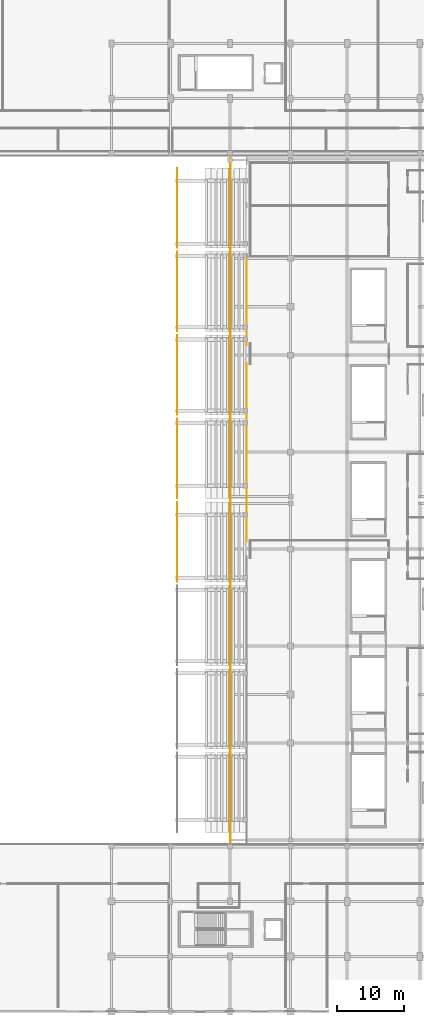
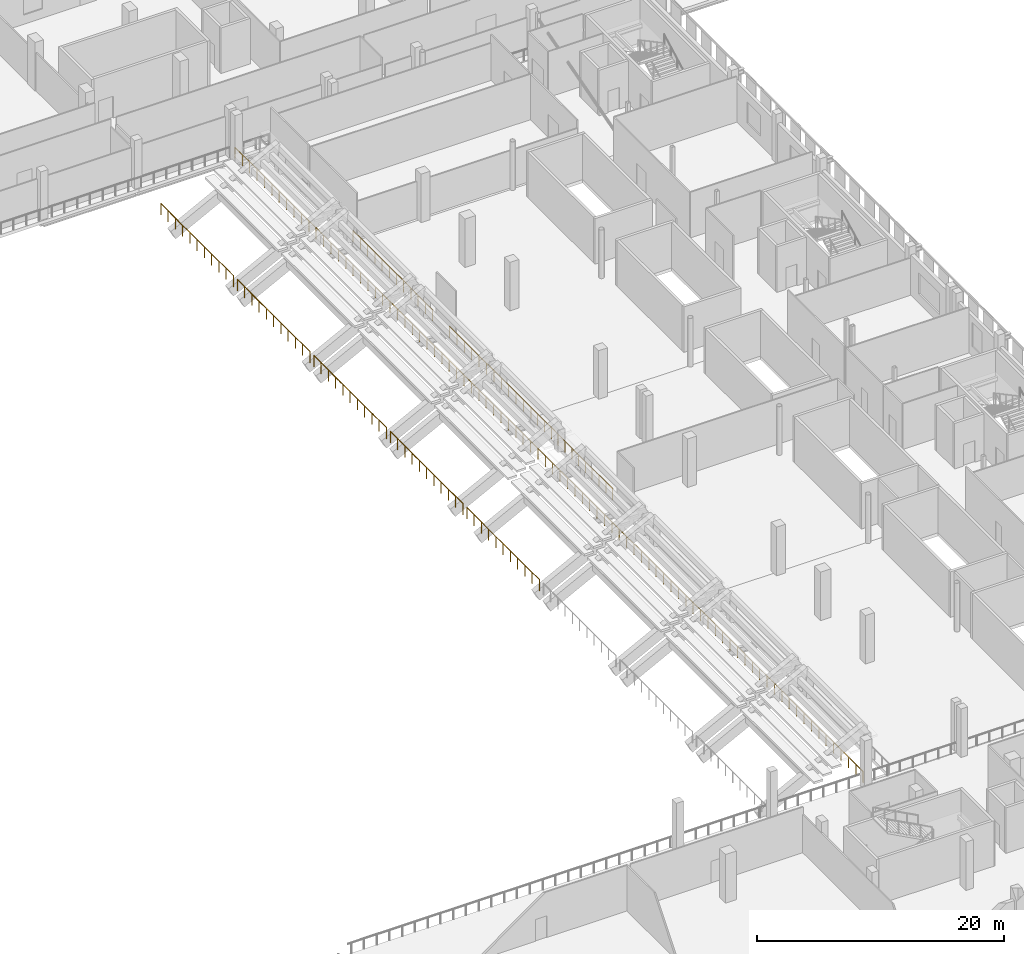
# One storey, part 68 of 74: 9 railings.
"""IFC4 building model written with IfcOpenShell, lengths in metres."""

from ifc_helpers import new_model, si_unit, direction, frame, origin, origin_2d, place, context, subcontext, project, spatial, circle, extrude, material, type_object, element, save


model = new_model("IFC4")

# Units and contexts
model_context = context("Model", 3, precision=1e-05, world=origin(), true_north=direction((0.0, 1.0)))
body_context = subcontext(model_context, "Body", "Model", "MODEL_VIEW")
ifc_project = project(units=[si_unit("LENGTHUNIT", "METRE"), si_unit("AREAUNIT", "SQUARE_METRE"), si_unit("VOLUMEUNIT", "CUBIC_METRE"), si_unit("PLANEANGLEUNIT", "RADIAN"), si_unit("MASSUNIT", "GRAM", prefix="KILO")], contexts=[model_context])

# Site, building, storey
site_placement = place(None, origin())
site = spatial("IfcSite", under=ifc_project, at=site_placement, CompositionType="ELEMENT")
building_placement = place(site_placement, origin())
building = spatial("IfcBuilding", under=site, at=building_placement, Name="Koshinbarg Plaza Stadium", CompositionType="ELEMENT")
storey_placement = place(building_placement, frame((0.0, 0.0, 15.0)))
storey = spatial("IfcBuildingStorey", under=building, at=storey_placement, Name="L03", CompositionType="ELEMENT", Elevation=15.0)

# Railings
ifc_material = material(Name="Toughened laminated glass and stainless steel sightline balustrade", Category="steel")
railing_type = type_object("IfcRailingType", Name="RL-BOWL-1100", PredefinedType="BALUSTRADE", material=ifc_material)
railing_1_placement = place(storey_placement, frame((180.47998046875, 25.10009765625, 0.0)))
element("IfcRailing", 1, at=railing_1_placement, inside=storey, type_object=railing_type, Name="L03 bowl concourse sightline balustrade 0023", PredefinedType="BALUSTRADE", context=body_context, shape_type="SweptSolid", body=[
    extrude(circle(Radius=0.02392578125, at=origin_2d()), frame((0.0, 0.0, 1.076171875), z_axis=(0.0, 1.0, 0.0), x_axis=(-1.0, 0.0, 0.0)), (0.0, 0.0, 1.0), 101.7998046875),
    extrude(circle(Radius=0.02099609375, at=origin_2d()), origin(), (0.0, 0.0, 1.0), 1.052001953125),
    extrude(circle(Radius=0.02099609375, at=origin_2d()), frame((0.0, 1.19775390625, 0.0)), (0.0, 0.0, 1.0), 1.052001953125),
    extrude(circle(Radius=0.02099609375, at=origin_2d()), frame((0.0, 2.395263671875, 0.0)), (0.0, 0.0, 1.0), 1.052001953125),
    extrude(circle(Radius=0.02099609375, at=origin_2d()), frame((0.0, 3.593017578125, 0.0)), (0.0, 0.0, 1.0), 1.052001953125),
    extrude(circle(Radius=0.02099609375, at=origin_2d()), frame((0.0, 4.79052734375, 0.0)), (0.0, 0.0, 1.0), 1.052001953125),
    extrude(circle(Radius=0.02099609375, at=origin_2d()), frame((0.0, 5.98828125, 0.0)), (0.0, 0.0, 1.0), 1.052001953125),
    extrude(circle(Radius=0.02099609375, at=origin_2d()), frame((0.0, 7.185791015625, 0.0)), (0.0, 0.0, 1.0), 1.052001953125),
    extrude(circle(Radius=0.02099609375, at=origin_2d()), frame((0.0, 8.383544921875, 0.0)), (0.0, 0.0, 1.0), 1.052001953125),
    extrude(circle(Radius=0.02099609375, at=origin_2d()), frame((0.0, 9.5810546875, 0.0)), (0.0, 0.0, 1.0), 1.052001953125),
    extrude(circle(Radius=0.02099609375, at=origin_2d()), frame((0.0, 10.77880859375, 0.0)), (0.0, 0.0, 1.0), 1.052001953125),
    extrude(circle(Radius=0.02099609375, at=origin_2d()), frame((0.0, 11.9765625, 0.0)), (0.0, 0.0, 1.0), 1.052001953125),
    extrude(circle(Radius=0.02099609375, at=origin_2d()), frame((0.0, 13.174072265625, 0.0)), (0.0, 0.0, 1.0), 1.052001953125),
    extrude(circle(Radius=0.02099609375, at=origin_2d()), frame((0.0, 14.371826171875, 0.0)), (0.0, 0.0, 1.0), 1.052001953125),
    extrude(circle(Radius=0.02099609375, at=origin_2d()), frame((0.0, 15.5693359375, 0.0)), (0.0, 0.0, 1.0), 1.052001953125),
    extrude(circle(Radius=0.02099609375, at=origin_2d()), frame((0.0, 16.76708984375, 0.0)), (0.0, 0.0, 1.0), 1.052001953125),
    extrude(circle(Radius=0.02099609375, at=origin_2d()), frame((0.0, 17.964599609375, 0.0)), (0.0, 0.0, 1.0), 1.052001953125),
    extrude(circle(Radius=0.02099609375, at=origin_2d()), frame((0.0, 19.162353515625, 0.0)), (0.0, 0.0, 1.0), 1.052001953125),
    extrude(circle(Radius=0.02099609375, at=origin_2d()), frame((0.0, 20.35986328125, 0.0)), (0.0, 0.0, 1.0), 1.052001953125),
    extrude(circle(Radius=0.02099609375, at=origin_2d()), frame((0.0, 21.5576171875, 0.0)), (0.0, 0.0, 1.0), 1.052001953125),
    extrude(circle(Radius=0.02099609375, at=origin_2d()), frame((0.0, 22.75537109375, 0.0)), (0.0, 0.0, 1.0), 1.052001953125),
    extrude(circle(Radius=0.02099609375, at=origin_2d()), frame((0.0, 23.952880859375, 0.0)), (0.0, 0.0, 1.0), 1.052001953125),
    extrude(circle(Radius=0.02099609375, at=origin_2d()), frame((0.0, 25.150634765625, 0.0)), (0.0, 0.0, 1.0), 1.052001953125),
    extrude(circle(Radius=0.02099609375, at=origin_2d()), frame((0.0, 26.34814453125, 0.0)), (0.0, 0.0, 1.0), 1.052001953125),
    extrude(circle(Radius=0.02099609375, at=origin_2d()), frame((0.0, 27.5458984375, 0.0)), (0.0, 0.0, 1.0), 1.052001953125),
    extrude(circle(Radius=0.02099609375, at=origin_2d()), frame((0.0, 28.743408203125, 0.0)), (0.0, 0.0, 1.0), 1.052001953125),
    extrude(circle(Radius=0.02099609375, at=origin_2d()), frame((0.0, 29.941162109375, 0.0)), (0.0, 0.0, 1.0), 1.052001953125),
    extrude(circle(Radius=0.02099609375, at=origin_2d()), frame((0.0, 31.138671875, 0.0)), (0.0, 0.0, 1.0), 1.052001953125),
    extrude(circle(Radius=0.02099609375, at=origin_2d()), frame((0.0, 32.33642578125, 0.0)), (0.0, 0.0, 1.0), 1.052001953125),
    extrude(circle(Radius=0.02099609375, at=origin_2d()), frame((0.0, 33.533935546875, 0.0)), (0.0, 0.0, 1.0), 1.052001953125),
    extrude(circle(Radius=0.02099609375, at=origin_2d()), frame((0.0, 34.731689453125, 0.0)), (0.0, 0.0, 1.0), 1.052001953125),
    extrude(circle(Radius=0.02099609375, at=origin_2d()), frame((0.0, 35.929443359375, 0.0)), (0.0, 0.0, 1.0), 1.052001953125),
    extrude(circle(Radius=0.02099609375, at=origin_2d()), frame((0.0, 37.126953125, 0.0)), (0.0, 0.0, 1.0), 1.052001953125),
    extrude(circle(Radius=0.02099609375, at=origin_2d()), frame((0.0, 38.32470703125, 0.0)), (0.0, 0.0, 1.0), 1.052001953125),
    extrude(circle(Radius=0.02099609375, at=origin_2d()), frame((0.0, 39.522216796875, 0.0)), (0.0, 0.0, 1.0), 1.052001953125),
    extrude(circle(Radius=0.02099609375, at=origin_2d()), frame((0.0, 40.719970703125, 0.0)), (0.0, 0.0, 1.0), 1.052001953125),
    extrude(circle(Radius=0.02099609375, at=origin_2d()), frame((0.0, 41.91748046875, 0.0)), (0.0, 0.0, 1.0), 1.052001953125),
    extrude(circle(Radius=0.02099609375, at=origin_2d()), frame((0.0, 43.115234375, 0.0)), (0.0, 0.0, 1.0), 1.052001953125),
    extrude(circle(Radius=0.02099609375, at=origin_2d()), frame((0.0, 44.312744140625, 0.0)), (0.0, 0.0, 1.0), 1.052001953125),
    extrude(circle(Radius=0.02099609375, at=origin_2d()), frame((0.0, 45.510498046875, 0.0)), (0.0, 0.0, 1.0), 1.052001953125),
    extrude(circle(Radius=0.02099609375, at=origin_2d()), frame((0.0, 46.708251953125, 0.0)), (0.0, 0.0, 1.0), 1.052001953125),
    extrude(circle(Radius=0.02099609375, at=origin_2d()), frame((0.0, 47.90576171875, 0.0)), (0.0, 0.0, 1.0), 1.052001953125),
    extrude(circle(Radius=0.02099609375, at=origin_2d()), frame((0.0, 49.103515625, 0.0)), (0.0, 0.0, 1.0), 1.052001953125),
    extrude(circle(Radius=0.02099609375, at=origin_2d()), frame((0.0, 50.301025390625, 0.0)), (0.0, 0.0, 1.0), 1.052001953125),
    extrude(circle(Radius=0.02099609375, at=origin_2d()), frame((0.0, 51.498779296875, 0.0)), (0.0, 0.0, 1.0), 1.052001953125),
    extrude(circle(Radius=0.02099609375, at=origin_2d()), frame((0.0, 52.6962890625, 0.0)), (0.0, 0.0, 1.0), 1.052001953125),
    extrude(circle(Radius=0.02099609375, at=origin_2d()), frame((0.0, 53.89404296875, 0.0)), (0.0, 0.0, 1.0), 1.052001953125),
    extrude(circle(Radius=0.02099609375, at=origin_2d()), frame((0.0, 55.091552734375, 0.0)), (0.0, 0.0, 1.0), 1.052001953125),
    extrude(circle(Radius=0.02099609375, at=origin_2d()), frame((0.0, 56.289306640625, 0.0)), (0.0, 0.0, 1.0), 1.052001953125),
    extrude(circle(Radius=0.02099609375, at=origin_2d()), frame((0.0, 57.487060546875, 0.0)), (0.0, 0.0, 1.0), 1.052001953125),
    extrude(circle(Radius=0.02099609375, at=origin_2d()), frame((0.0, 58.6845703125, 0.0)), (0.0, 0.0, 1.0), 1.052001953125),
    extrude(circle(Radius=0.02099609375, at=origin_2d()), frame((0.0, 59.88232421875, 0.0)), (0.0, 0.0, 1.0), 1.052001953125),
    extrude(circle(Radius=0.02099609375, at=origin_2d()), frame((0.0, 61.079833984375, 0.0)), (0.0, 0.0, 1.0), 1.052001953125),
    extrude(circle(Radius=0.02099609375, at=origin_2d()), frame((0.0, 62.277587890625, 0.0)), (0.0, 0.0, 1.0), 1.052001953125),
    extrude(circle(Radius=0.02099609375, at=origin_2d()), frame((0.0, 63.47509765625, 0.0)), (0.0, 0.0, 1.0), 1.052001953125),
    extrude(circle(Radius=0.02099609375, at=origin_2d()), frame((0.0, 64.6728515625, 0.0)), (0.0, 0.0, 1.0), 1.052001953125),
    extrude(circle(Radius=0.02099609375, at=origin_2d()), frame((0.0, 65.870361328125, 0.0)), (0.0, 0.0, 1.0), 1.052001953125),
    extrude(circle(Radius=0.02099609375, at=origin_2d()), frame((0.0, 67.068115234375, 0.0)), (0.0, 0.0, 1.0), 1.052001953125),
    extrude(circle(Radius=0.02099609375, at=origin_2d()), frame((0.0, 68.265869140625, 0.0)), (0.0, 0.0, 1.0), 1.052001953125),
    extrude(circle(Radius=0.02099609375, at=origin_2d()), frame((0.0, 69.46337890625, 0.0)), (0.0, 0.0, 1.0), 1.052001953125),
    extrude(circle(Radius=0.02099609375, at=origin_2d()), frame((0.0, 70.6611328125, 0.0)), (0.0, 0.0, 1.0), 1.052001953125),
    extrude(circle(Radius=0.02099609375, at=origin_2d()), frame((0.0, 71.858642578125, 0.0)), (0.0, 0.0, 1.0), 1.052001953125),
    extrude(circle(Radius=0.02099609375, at=origin_2d()), frame((0.0, 73.056396484375, 0.0)), (0.0, 0.0, 1.0), 1.052001953125),
    extrude(circle(Radius=0.02099609375, at=origin_2d()), frame((0.0, 74.25390625, 0.0)), (0.0, 0.0, 1.0), 1.052001953125),
    extrude(circle(Radius=0.02099609375, at=origin_2d()), frame((0.0, 75.45166015625, 0.0)), (0.0, 0.0, 1.0), 1.052001953125),
    extrude(circle(Radius=0.02099609375, at=origin_2d()), frame((0.0, 76.649169921875, 0.0)), (0.0, 0.0, 1.0), 1.052001953125),
    extrude(circle(Radius=0.02099609375, at=origin_2d()), frame((0.0, 77.846923828125, 0.0)), (0.0, 0.0, 1.0), 1.052001953125),
    extrude(circle(Radius=0.02099609375, at=origin_2d()), frame((0.0, 79.04443359375, 0.0)), (0.0, 0.0, 1.0), 1.052001953125),
    extrude(circle(Radius=0.02099609375, at=origin_2d()), frame((0.0, 80.2421875, 0.0)), (0.0, 0.0, 1.0), 1.052001953125),
    extrude(circle(Radius=0.02099609375, at=origin_2d()), frame((0.0, 81.43994140625, 0.0)), (0.0, 0.0, 1.0), 1.052001953125),
    extrude(circle(Radius=0.02099609375, at=origin_2d()), frame((0.0, 82.637451171875, 0.0)), (0.0, 0.0, 1.0), 1.052001953125),
    extrude(circle(Radius=0.02099609375, at=origin_2d()), frame((0.0, 83.835205078125, 0.0)), (0.0, 0.0, 1.0), 1.052001953125),
    extrude(circle(Radius=0.02099609375, at=origin_2d()), frame((0.0, 85.03271484375, 0.0)), (0.0, 0.0, 1.0), 1.052001953125),
    extrude(circle(Radius=0.02099609375, at=origin_2d()), frame((0.0, 86.23046875, 0.0)), (0.0, 0.0, 1.0), 1.052001953125),
    extrude(circle(Radius=0.02099609375, at=origin_2d()), frame((0.0, 87.427978515625, 0.0)), (0.0, 0.0, 1.0), 1.052001953125),
    extrude(circle(Radius=0.02099609375, at=origin_2d()), frame((0.0, 88.625732421875, 0.0)), (0.0, 0.0, 1.0), 1.052001953125),
    extrude(circle(Radius=0.02099609375, at=origin_2d()), frame((0.0, 89.8232421875, 0.0)), (0.0, 0.0, 1.0), 1.052001953125),
    extrude(circle(Radius=0.02099609375, at=origin_2d()), frame((0.0, 91.02099609375, 0.0)), (0.0, 0.0, 1.0), 1.052001953125),
    extrude(circle(Radius=0.02099609375, at=origin_2d()), frame((0.0, 92.21875, 0.0)), (0.0, 0.0, 1.0), 1.052001953125),
    extrude(circle(Radius=0.02099609375, at=origin_2d()), frame((0.0, 93.416259765625, 0.0)), (0.0, 0.0, 1.0), 1.052001953125),
    extrude(circle(Radius=0.02099609375, at=origin_2d()), frame((0.0, 94.614013671875, 0.0)), (0.0, 0.0, 1.0), 1.052001953125),
    extrude(circle(Radius=0.02099609375, at=origin_2d()), frame((0.0, 95.8115234375, 0.0)), (0.0, 0.0, 1.0), 1.052001953125),
    extrude(circle(Radius=0.02099609375, at=origin_2d()), frame((0.0, 97.00927734375, 0.0)), (0.0, 0.0, 1.0), 1.052001953125),
    extrude(circle(Radius=0.02099609375, at=origin_2d()), frame((0.0, 98.206787109375, 0.0)), (0.0, 0.0, 1.0), 1.052001953125),
    extrude(circle(Radius=0.02099609375, at=origin_2d()), frame((0.0, 99.404541015625, 0.0)), (0.0, 0.0, 1.0), 1.052001953125),
    extrude(circle(Radius=0.02099609375, at=origin_2d()), frame((0.0, 100.60205078125, 0.0)), (0.0, 0.0, 1.0), 1.052001953125),
    extrude(circle(Radius=0.02099609375, at=origin_2d()), frame((0.0, 101.7998046875, 0.0)), (0.0, 0.0, 1.0), 1.052001953125),
])
railing_2_placement = place(storey_placement, frame((172.580078125, 63.8798828125, -1.780029296875)))
element("IfcRailing", 2, at=railing_2_placement, inside=storey, type_object=railing_type, Name="UT-E04 front stand crowd barrier", PredefinedType="BALUSTRADE", context=body_context, shape_type="SweptSolid", body=[
    extrude(circle(Radius=0.02392578125, at=origin_2d()), frame((0.0, 0.0, 1.076171875), z_axis=(0.0, 1.0, 0.0), x_axis=(-1.0, 0.0, 0.0)), (0.0, 0.0, 1.0), 11.740234375),
    extrude(circle(Radius=0.02099609375, at=origin_2d()), origin(), (0.0, 0.0, 1.0), 1.052001953125),
    extrude(circle(Radius=0.02099609375, at=origin_2d()), frame((0.0, 1.174072265625, 0.0)), (0.0, 0.0, 1.0), 1.052001953125),
    extrude(circle(Radius=0.02099609375, at=origin_2d()), frame((0.0, 2.34814453125, 0.0)), (0.0, 0.0, 1.0), 1.052001953125),
    extrude(circle(Radius=0.02099609375, at=origin_2d()), frame((0.0, 3.52197265625, 0.0)), (0.0, 0.0, 1.0), 1.052001953125),
    extrude(circle(Radius=0.02099609375, at=origin_2d()), frame((0.0, 4.696044921875, 0.0)), (0.0, 0.0, 1.0), 1.052001953125),
    extrude(circle(Radius=0.02099609375, at=origin_2d()), frame((0.0, 5.8701171875, 0.0)), (0.0, 0.0, 1.0), 1.052001953125),
    extrude(circle(Radius=0.02099609375, at=origin_2d()), frame((0.0, 7.044189453125, 0.0)), (0.0, 0.0, 1.0), 1.052001953125),
    extrude(circle(Radius=0.02099609375, at=origin_2d()), frame((0.0, 8.21826171875, 0.0)), (0.0, 0.0, 1.0), 1.052001953125),
    extrude(circle(Radius=0.02099609375, at=origin_2d()), frame((0.0, 9.39208984375, 0.0)), (0.0, 0.0, 1.0), 1.052001953125),
    extrude(circle(Radius=0.02099609375, at=origin_2d()), frame((0.0, 10.566162109375, 0.0)), (0.0, 0.0, 1.0), 1.052001953125),
    extrude(circle(Radius=0.02099609375, at=origin_2d()), frame((0.0, 11.740234375, 0.0)), (0.0, 0.0, 1.0), 1.052001953125),
])
for number, where, name in (
    (3, (172.580078125, 76.280029296875, -1.780029296875), "UT-E05 front stand crowd barrier"),
    (4, (172.580078125, 88.679931640625, -1.780029296875), "UT-E06 front stand crowd barrier"),
    (5, (172.580078125, 101.080078125, -1.780029296875), "UT-E07 front stand crowd barrier"),
    (6, (172.580078125, 113.47998046875, -1.780029296875), "UT-E08 front stand crowd barrier"),
):
    element("IfcRailing", number, at=place(storey_placement, frame(where)), inside=storey, type_object=railing_type, Name=name, PredefinedType="BALUSTRADE", context=body_context, shape_type="SweptSolid", body=[
        extrude(circle(Radius=0.02392578125, at=origin_2d()), frame((0.0, 0.0, 1.076171875), z_axis=(0.0, 1.0, 0.0), x_axis=(-1.0, 0.0, 0.0)), (0.0, 0.0, 1.0), 11.739990234375),
        extrude(circle(Radius=0.02099609375, at=origin_2d()), origin(), (0.0, 0.0, 1.0), 1.052001953125),
        extrude(circle(Radius=0.02099609375, at=origin_2d()), frame((0.0, 1.174072265625, 0.0)), (0.0, 0.0, 1.0), 1.052001953125),
        extrude(circle(Radius=0.02099609375, at=origin_2d()), frame((0.0, 2.347900390625, 0.0)), (0.0, 0.0, 1.0), 1.052001953125),
        extrude(circle(Radius=0.02099609375, at=origin_2d()), frame((0.0, 3.52197265625, 0.0)), (0.0, 0.0, 1.0), 1.052001953125),
        extrude(circle(Radius=0.02099609375, at=origin_2d()), frame((0.0, 4.696044921875, 0.0)), (0.0, 0.0, 1.0), 1.052001953125),
        extrude(circle(Radius=0.02099609375, at=origin_2d()), frame((0.0, 5.8701171875, 0.0)), (0.0, 0.0, 1.0), 1.052001953125),
        extrude(circle(Radius=0.02099609375, at=origin_2d()), frame((0.0, 7.0439453125, 0.0)), (0.0, 0.0, 1.0), 1.052001953125),
        extrude(circle(Radius=0.02099609375, at=origin_2d()), frame((0.0, 8.218017578125, 0.0)), (0.0, 0.0, 1.0), 1.052001953125),
        extrude(circle(Radius=0.02099609375, at=origin_2d()), frame((0.0, 9.39208984375, 0.0)), (0.0, 0.0, 1.0), 1.052001953125),
        extrude(circle(Radius=0.02099609375, at=origin_2d()), frame((0.0, 10.56591796875, 0.0)), (0.0, 0.0, 1.0), 1.052001953125),
        extrude(circle(Radius=0.02099609375, at=origin_2d()), frame((0.0, 11.739990234375, 0.0)), (0.0, 0.0, 1.0), 1.052001953125),
    ])
railing_3_placement = place(storey_placement, frame((182.8798828125, 69.85009765625, 0.0)))
element("IfcRailing", 7, at=railing_3_placement, inside=storey, type_object=railing_type, Name="L03 deck edge safety balustrade 0241", PredefinedType="BALUSTRADE", context=body_context, shape_type="SweptSolid", body=[
    extrude(circle(Radius=0.02392578125, at=origin_2d()), frame((0.0, 0.0, 1.076171875), z_axis=(0.0, 1.0, 0.0), x_axis=(-1.0, 0.0, 0.0)), (0.0, 0.0, 1.0), 13.25),
    extrude(circle(Radius=0.02099609375, at=origin_2d()), origin(), (0.0, 0.0, 1.0), 1.052001953125),
    extrude(circle(Radius=0.02099609375, at=origin_2d()), frame((0.0, 1.104248046875, 0.0)), (0.0, 0.0, 1.0), 1.052001953125),
    extrude(circle(Radius=0.02099609375, at=origin_2d()), frame((0.0, 2.208251953125, 0.0)), (0.0, 0.0, 1.0), 1.052001953125),
    extrude(circle(Radius=0.02099609375, at=origin_2d()), frame((0.0, 3.3125, 0.0)), (0.0, 0.0, 1.0), 1.052001953125),
    extrude(circle(Radius=0.02099609375, at=origin_2d()), frame((0.0, 4.416748046875, 0.0)), (0.0, 0.0, 1.0), 1.052001953125),
    extrude(circle(Radius=0.02099609375, at=origin_2d()), frame((0.0, 5.520751953125, 0.0)), (0.0, 0.0, 1.0), 1.052001953125),
    extrude(circle(Radius=0.02099609375, at=origin_2d()), frame((0.0, 6.625, 0.0)), (0.0, 0.0, 1.0), 1.052001953125),
    extrude(circle(Radius=0.02099609375, at=origin_2d()), frame((0.0, 7.729248046875, 0.0)), (0.0, 0.0, 1.0), 1.052001953125),
    extrude(circle(Radius=0.02099609375, at=origin_2d()), frame((0.0, 8.833251953125, 0.0)), (0.0, 0.0, 1.0), 1.052001953125),
    extrude(circle(Radius=0.02099609375, at=origin_2d()), frame((0.0, 9.9375, 0.0)), (0.0, 0.0, 1.0), 1.052001953125),
    extrude(circle(Radius=0.02099609375, at=origin_2d()), frame((0.0, 11.041748046875, 0.0)), (0.0, 0.0, 1.0), 1.052001953125),
    extrude(circle(Radius=0.02099609375, at=origin_2d()), frame((0.0, 12.145751953125, 0.0)), (0.0, 0.0, 1.0), 1.052001953125),
    extrude(circle(Radius=0.02099609375, at=origin_2d()), frame((0.0, 13.25, 0.0)), (0.0, 0.0, 1.0), 1.052001953125),
])
railing_4_placement = place(storey_placement, frame((182.8798828125, 83.10009765625, 0.0)))
element("IfcRailing", 8, at=railing_4_placement, inside=storey, type_object=railing_type, Name="L03 deck edge safety balustrade 0246", PredefinedType="BALUSTRADE", context=body_context, shape_type="SweptSolid", body=[
    extrude(circle(Radius=0.02392578125, at=origin_2d()), frame((0.0, 0.0, 1.076171875), z_axis=(0.0, 1.0, 0.0), x_axis=(-1.0, 0.0, 0.0)), (0.0, 0.0, 1.0), 13.182373046875),
    extrude(circle(Radius=0.02099609375, at=origin_2d()), origin(), (0.0, 0.0, 1.0), 1.052001953125),
    extrude(circle(Radius=0.02099609375, at=origin_2d()), frame((0.0, 1.198486328125, 0.0)), (0.0, 0.0, 1.0), 1.052001953125),
    extrude(circle(Radius=0.02099609375, at=origin_2d()), frame((0.0, 2.396728515625, 0.0)), (0.0, 0.0, 1.0), 1.052001953125),
    extrude(circle(Radius=0.02099609375, at=origin_2d()), frame((0.0, 3.59521484375, 0.0)), (0.0, 0.0, 1.0), 1.052001953125),
    extrude(circle(Radius=0.02099609375, at=origin_2d()), frame((0.0, 4.793701171875, 0.0)), (0.0, 0.0, 1.0), 1.052001953125),
    extrude(circle(Radius=0.02099609375, at=origin_2d()), frame((0.0, 5.991943359375, 0.0)), (0.0, 0.0, 1.0), 1.052001953125),
    extrude(circle(Radius=0.02099609375, at=origin_2d()), frame((0.0, 7.1904296875, 0.0)), (0.0, 0.0, 1.0), 1.052001953125),
    extrude(circle(Radius=0.02099609375, at=origin_2d()), frame((0.0, 8.388671875, 0.0)), (0.0, 0.0, 1.0), 1.052001953125),
    extrude(circle(Radius=0.02099609375, at=origin_2d()), frame((0.0, 9.587158203125, 0.0)), (0.0, 0.0, 1.0), 1.052001953125),
    extrude(circle(Radius=0.02099609375, at=origin_2d()), frame((0.0, 10.78564453125, 0.0)), (0.0, 0.0, 1.0), 1.052001953125),
    extrude(circle(Radius=0.02099609375, at=origin_2d()), frame((0.0, 11.98388671875, 0.0)), (0.0, 0.0, 1.0), 1.052001953125),
    extrude(circle(Radius=0.02099609375, at=origin_2d()), frame((0.0, 13.182373046875, 0.0)), (0.0, 0.0, 1.0), 1.052001953125),
])
railing_5_placement = place(storey_placement, frame((182.8798828125, 99.01611328125, 0.0)))
element("IfcRailing", 9, at=railing_5_placement, inside=storey, type_object=railing_type, Name="L03 deck edge safety balustrade 0247", PredefinedType="BALUSTRADE", context=body_context, shape_type="SweptSolid", body=[
    extrude(circle(Radius=0.02392578125, at=origin_2d()), frame((0.0, 0.0, 1.076171875), z_axis=(0.0, 1.0, 0.0), x_axis=(-1.0, 0.0, 0.0)), (0.0, 0.0, 1.0), 12.8837890625),
    extrude(circle(Radius=0.02099609375, at=origin_2d()), origin(), (0.0, 0.0, 1.0), 1.052001953125),
    extrude(circle(Radius=0.02099609375, at=origin_2d()), frame((0.0, 1.171142578125, 0.0)), (0.0, 0.0, 1.0), 1.052001953125),
    extrude(circle(Radius=0.02099609375, at=origin_2d()), frame((0.0, 2.342529296875, 0.0)), (0.0, 0.0, 1.0), 1.052001953125),
    extrude(circle(Radius=0.02099609375, at=origin_2d()), frame((0.0, 3.513671875, 0.0)), (0.0, 0.0, 1.0), 1.052001953125),
    extrude(circle(Radius=0.02099609375, at=origin_2d()), frame((0.0, 4.68505859375, 0.0)), (0.0, 0.0, 1.0), 1.052001953125),
    extrude(circle(Radius=0.02099609375, at=origin_2d()), frame((0.0, 5.856201171875, 0.0)), (0.0, 0.0, 1.0), 1.052001953125),
    extrude(circle(Radius=0.02099609375, at=origin_2d()), frame((0.0, 7.027587890625, 0.0)), (0.0, 0.0, 1.0), 1.052001953125),
    extrude(circle(Radius=0.02099609375, at=origin_2d()), frame((0.0, 8.19873046875, 0.0)), (0.0, 0.0, 1.0), 1.052001953125),
    extrude(circle(Radius=0.02099609375, at=origin_2d()), frame((0.0, 9.3701171875, 0.0)), (0.0, 0.0, 1.0), 1.052001953125),
    extrude(circle(Radius=0.02099609375, at=origin_2d()), frame((0.0, 10.541259765625, 0.0)), (0.0, 0.0, 1.0), 1.052001953125),
    extrude(circle(Radius=0.02099609375, at=origin_2d()), frame((0.0, 11.712646484375, 0.0)), (0.0, 0.0, 1.0), 1.052001953125),
    extrude(circle(Radius=0.02099609375, at=origin_2d()), frame((0.0, 12.8837890625, 0.0)), (0.0, 0.0, 1.0), 1.052001953125),
])

save(model, "model.ifc")
